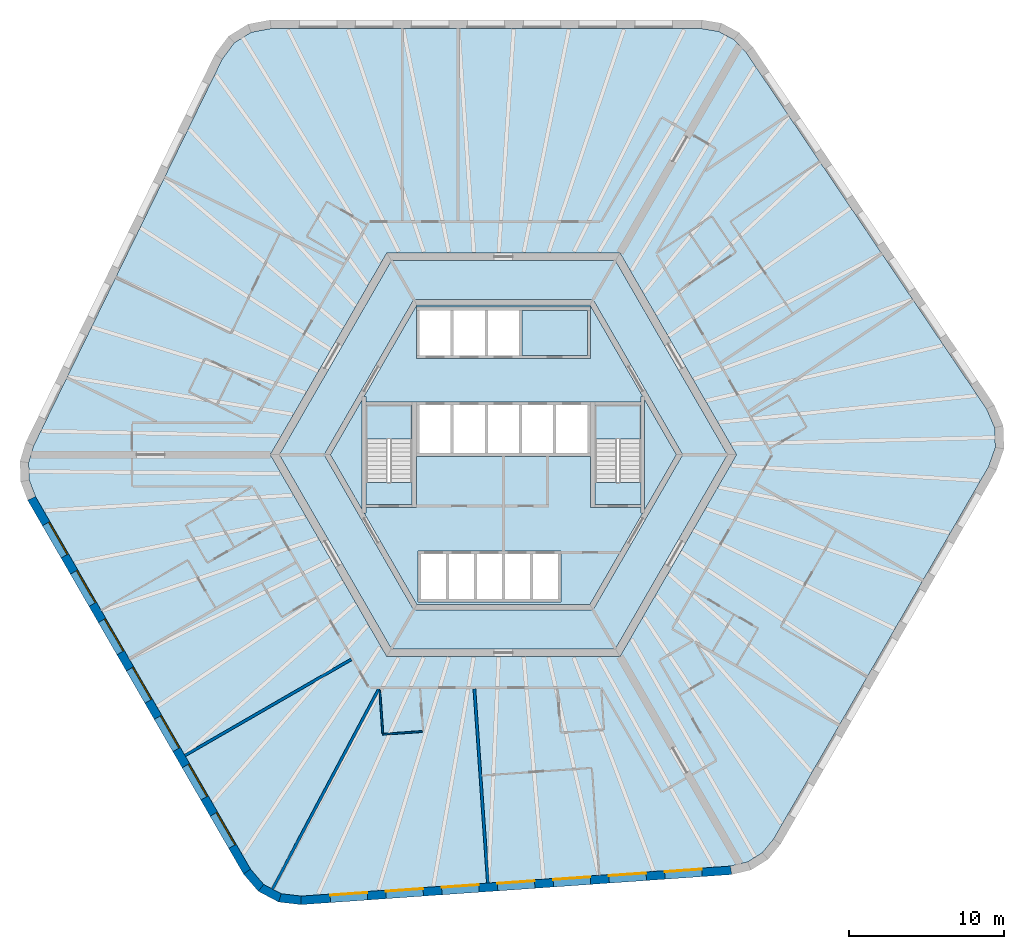
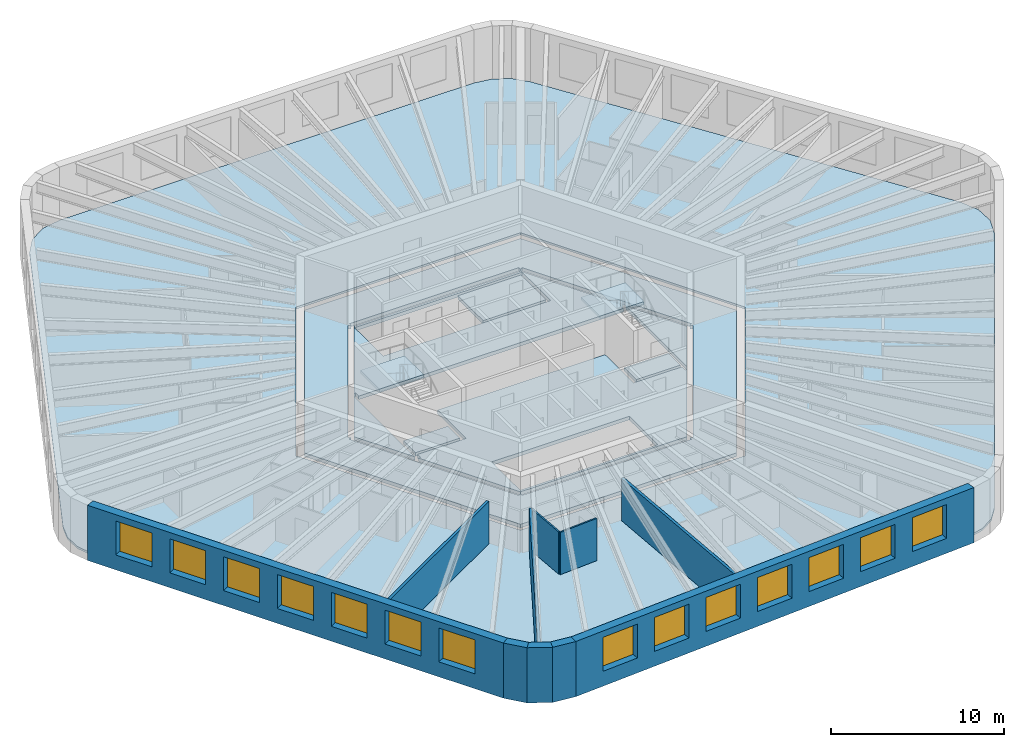
# One storey, part 2 of 10: 14 windows, 11 slabs, 10 walls, 14 openings, 2 elements without a shape of their own.
"""IFC4 building model written with IfcOpenShell, lengths in metres."""

from ifc_helpers import new_model, si_unit, direction, frame, frame_2d, origin, place, context, subcontext, project, spatial, polyline, rectangle, outline, extrude, material, layer, layer_set, type_object, element, fill, aggregate, save


model = new_model("IFC4")

# Units and contexts
model_context = context("Model", 3, precision=1e-05, world=origin(), true_north=direction((0.0, 1.0)))
body_context = subcontext(model_context, "Body", "Model", "MODEL_VIEW")
ifc_project = project(units=[si_unit("LENGTHUNIT", "METRE"), si_unit("AREAUNIT", "SQUARE_METRE"), si_unit("VOLUMEUNIT", "CUBIC_METRE"), si_unit("PLANEANGLEUNIT", "RADIAN"), si_unit("MASSUNIT", "GRAM", prefix="KILO")], contexts=[model_context])

# Site, building, storey
site_placement = place(None, origin())
site = spatial("IfcSite", under=ifc_project, at=site_placement, CompositionType="ELEMENT")
building_placement = place(site_placement, origin())
building = spatial("IfcBuilding", under=site, at=building_placement, Name="Tarnside Tower", CompositionType="ELEMENT")
storey_placement = place(building_placement, frame((0.0, 0.0, 172.199951171875)))
storey = spatial("IfcBuildingStorey", under=building, at=storey_placement, Name="L40", CompositionType="ELEMENT", Elevation=172.199951171875)

# Slabs
ifc_material_1 = material(Name="Concrete C35/45", Category="concrete")
ifc_layer_1 = layer(ifc_material_1, 0.14990234375)
ifc_layer_set_1 = layer_set([ifc_layer_1], Name="Composite floor slab 150")
slab_type_1 = type_object("IfcSlabType", Name="Composite floor slab 150", PredefinedType="FLOOR", material=ifc_layer_set_1)
slab_1_placement = place(storey_placement, frame((0.0, 0.0, -0.14990234375)))
element("IfcSlab", 1, at=slab_1_placement, inside=storey, type_object=slab_type_1, Name="Floor slab L40", PredefinedType="FLOOR", context=body_context, shape_type="SweptSolid", body=[
    extrude(outline(polyline([(13.864013671875, 27.264892578125), (14.85107421875, 26.740234375), (15.6337890625, 25.91064453125), (31.12890625, 2.938232421875), (31.644287109375, 1.7431640625), (31.68896484375, 0.468505859375), (31.258056640625, -0.759521484375), (17.403076171875, -24.7568359375), (16.68017578125, -25.63916015625), (15.732177734375, -26.2314453125), (14.622314453125, -26.494384765625), (-13.02001953125, -28.427490234375), (-14.3125, -28.2763671875), (-15.438720703125, -27.677490234375), (-16.286865234375, -26.6904296875), (-30.1416015625, -2.693115234375), (-30.544189453125, -1.6259765625), (-30.583251953125, -0.5087890625), (-30.256103515625, 0.583984375), (-18.10888671875, 25.4892578125), (-17.331787109375, 26.533203125), (-16.250244140625, 27.208984375), (-14.97119140625, 27.449951171875), (12.738525390625, 27.449951171875), (13.864013671875, 27.264892578125)]), holes=[polyline([(-15.010986328125, 0.0), (-7.505615234375, -13.0), (7.505615234375, -13.0), (15.010986328125, 0.0), (7.505615234375, 13.0), (-7.505615234375, 13.0), (-15.010986328125, 0.0)])]), origin(), (0.0, 0.0, 1.0), 0.14990234375),
])
ifc_material_2 = material(Name="Concrete C40/50", Category="concrete")
ifc_layer_2 = layer(ifc_material_2, 0.25)
ifc_layer_set_2 = layer_set([ifc_layer_2], Name="Core slab C40/50")
slab_type_2 = type_object("IfcSlabType", Name="Core slab C40/50", PredefinedType="FLOOR", material=ifc_layer_set_2)
slab_2_placement = place(storey_placement, frame((0.0, 0.0, -0.25)))
element("IfcSlab", 2, at=slab_2_placement, inside=storey, type_object=slab_type_2, Name="L40 core floor slab 1", PredefinedType="FLOOR", context=body_context, shape_type="SweptSolid", body=[
    extrude(outline(polyline([(-7.216796875, 12.5), (7.216796875, 12.5), (14.433837890625, 0.0), (7.216796875, -12.5), (-7.216796875, -12.5), (-14.433837890625, 0.0), (-7.216796875, 12.5)]), holes=[polyline([(5.823974609375, -9.91259765625), (11.49658203125, -0.08740234375), (11.344970703125, 0.0), (11.49658203125, 0.08740234375), (5.823974609375, 9.91259765625), (5.672607421875, 9.824951171875), (5.672607421875, 10.0), (-5.672607421875, 10.0), (-5.672607421875, 9.824951171875), (-5.823974609375, 9.91259765625), (-11.49658203125, 0.08740234375), (-11.344970703125, 0.0), (-11.49658203125, -0.08740234375), (-5.823974609375, -9.91259765625), (-5.672607421875, -9.824951171875), (-5.672607421875, -10.0), (5.672607421875, -10.0), (5.672607421875, -9.824951171875), (5.823974609375, -9.91259765625)])]), origin(), (0.0, 0.0, 1.0), 0.25),
])
slab_3_placement = place(storey_placement, frame((0.0, 0.0, -0.25)))
element("IfcSlab", 3, at=slab_3_placement, inside=storey, type_object=slab_type_2, Name="L40 core floor slab 2", PredefinedType="FLOOR", context=body_context, shape_type="SweptSolid", body=[
    extrude(outline(polyline([(-8.97509765625, 3.7548828125), (-5.5712890625, 9.64990234375), (5.5712890625, 9.64990234375), (8.97509765625, 3.7548828125), (8.85009765625, 3.7548828125), (8.85009765625, 3.39990234375), (5.89990234375, 3.39990234375), (5.60009765625, 3.39990234375), (5.60009765625, 3.39990234375), (-5.60009765625, 3.39990234375), (-5.89990234375, 3.39990234375), (-8.85009765625, 3.39990234375), (-8.85009765625, 3.7548828125), (-8.97509765625, 3.7548828125)]), holes=[polyline([(-5.60009765625, 6.199951171875), (5.60009765625, 6.199951171875), (5.60009765625, 6.39990234375), (5.60009765625, 9.300048828125), (5.60009765625, 9.5), (-5.60009765625, 9.5), (-5.60009765625, 9.300048828125), (-5.60009765625, 6.39990234375), (-5.60009765625, 6.199951171875)])]), origin(), (0.0, 0.0, 1.0), 0.25),
])
slab_4_placement = place(storey_placement, frame((0.0, 0.0, -0.25)))
element("IfcSlab", 4, at=slab_4_placement, inside=storey, type_object=slab_type_2, Name="L40 core floor slab 3", PredefinedType="FLOOR", context=body_context, shape_type="SweptSolid", body=[
    extrude(outline(polyline([(5.60009765625, -3.39990234375), (5.89990234375, -3.39990234375), (8.85009765625, -3.39990234375), (8.85009765625, -3.7548828125), (8.97509765625, -3.7548828125), (5.5712890625, -9.64990234375), (-5.5712890625, -9.64990234375), (-8.97509765625, -3.7548828125), (-8.85009765625, -3.7548828125), (-8.85009765625, -3.39990234375), (-5.89990234375, -3.39990234375), (-5.60009765625, -3.39990234375), (-5.60009765625, -0.10009765625), (5.60009765625, -0.10009765625), (5.60009765625, -3.39990234375)]), holes=[polyline([(-5.5, -9.300048828125), (-5.5, -9.5), (3.699951171875, -9.5), (3.699951171875, -9.300048828125), (3.699951171875, -6.39990234375), (3.699951171875, -6.199951171875), (-5.5, -6.199951171875), (-5.5, -6.39990234375), (-5.5, -9.300048828125)])]), origin(), (0.0, 0.0, 1.0), 0.25),
])
slab_5_placement = place(storey_placement, frame((0.0, 0.0, -0.25)))
element("IfcSlab", 5, at=slab_5_placement, inside=storey, type_object=slab_type_2, Name="L40 core floor slab 4", PredefinedType="FLOOR", context=body_context, shape_type="SweptSolid", body=[
    extrude(outline(polyline([(-11.142822265625, 0.0), (-9.10009765625, 3.538330078125), (-9.10009765625, -3.538330078125), (-11.142822265625, 0.0)])), origin(), (0.0, 0.0, 1.0), 0.25),
])
slab_6_placement = place(storey_placement, frame((0.0, 0.0, -0.25)))
element("IfcSlab", 6, at=slab_6_placement, inside=storey, type_object=slab_type_2, Name="L40 core floor slab 5", PredefinedType="FLOOR", context=body_context, shape_type="SweptSolid", body=[
    extrude(outline(polyline([(-8.85009765625, -1.800048828125), (-5.89990234375, -1.800048828125), (-5.89990234375, -3.199951171875), (-8.85009765625, -3.199951171875), (-8.85009765625, -1.800048828125)])), origin(), (0.0, 0.0, 1.0), 0.25),
])
slab_7_placement = place(storey_placement, frame((0.0, 0.0, -0.25)))
element("IfcSlab", 7, at=slab_7_placement, inside=storey, type_object=slab_type_2, Name="L40 core floor slab 6", PredefinedType="FLOOR", context=body_context, shape_type="SweptSolid", body=[
    extrude(outline(polyline([(5.89990234375, -3.199951171875), (5.89990234375, -1.800048828125), (8.85009765625, -1.800048828125), (8.85009765625, -3.199951171875), (5.89990234375, -3.199951171875)])), origin(), (0.0, 0.0, 1.0), 0.25),
])
slab_8_placement = place(storey_placement, frame((0.0, 0.0, -0.25)))
element("IfcSlab", 8, at=slab_8_placement, inside=storey, type_object=slab_type_2, Name="L40 core floor slab 7", PredefinedType="FLOOR", context=body_context, shape_type="SweptSolid", body=[
    extrude(outline(polyline([(9.10009765625, -3.538330078125), (9.10009765625, 3.538330078125), (11.142822265625, 0.0), (9.10009765625, -3.538330078125)])), origin(), (0.0, 0.0, 1.0), 0.25),
])
slab_9_placement = place(storey_placement, frame((0.0, 0.0, -0.25)))
element("IfcSlab", 9, at=slab_9_placement, inside=storey, type_object=slab_type_2, Name="L40 core floor slab 8", PredefinedType="FLOOR", context=body_context, shape_type="SweptSolid", body=[
    extrude(outline(polyline([(5.39990234375, 9.300048828125), (5.39990234375, 6.39990234375), (1.199951171875, 6.39990234375), (1.199951171875, 9.300048828125), (5.39990234375, 9.300048828125)])), origin(), (0.0, 0.0, 1.0), 0.25),
])

# Stair, slab
stair_type = type_object("IfcStairType", Name="Exit stair 1400 clear", PredefinedType="HALF_TURN_STAIR", material=ifc_material_2)
stair_1_placement = place(storey_placement, origin())
stair_1 = element("IfcStair", 10, at=stair_1_placement, inside=storey, type_object=stair_type, Name="L40 Exit stair 1", PredefinedType="HALF_TURN_STAIR")
ifc_layer_3 = layer(ifc_material_2, 0.199951171875)
ifc_layer_set_3 = layer_set([ifc_layer_3], Name="Stair landing 200 C40/50")
slab_type_3 = type_object("IfcSlabType", Name="Stair landing 200 C40/50", PredefinedType="LANDING", material=ifc_layer_set_3)
slab_10_placement = place(storey_placement, frame((0.0, 0.0, 1.75)))
slab_10 = element("IfcSlab", 11, at=slab_10_placement, type_object=slab_type_3, Name="ST1 landing 1", PredefinedType="LANDING", context=body_context, shape_type="SweptSolid", body=[
    extrude(outline(polyline([(8.85009765625, 1.0), (8.85009765625, 3.199951171875), (5.89990234375, 3.199951171875), (5.89990234375, 1.0), (8.85009765625, 1.0)])), origin(), (0.0, 0.0, 1.0), 0.199951171875),
])
aggregate(stair_1, [slab_10])

stair_2_placement = place(storey_placement, origin())
stair_2 = element("IfcStair", 12, at=stair_2_placement, inside=storey, type_object=stair_type, Name="L40 Exit stair 2", PredefinedType="HALF_TURN_STAIR")
slab_11_placement = place(storey_placement, frame((0.0, 0.0, 1.75)))
slab_11 = element("IfcSlab", 13, at=slab_11_placement, type_object=slab_type_3, Name="ST2 landing 1", PredefinedType="LANDING", context=body_context, shape_type="SweptSolid", body=[
    extrude(outline(polyline([(-5.89990234375, 1.0), (-5.89990234375, 3.199951171875), (-8.85009765625, 3.199951171875), (-8.85009765625, 1.0), (-5.89990234375, 1.0)])), origin(), (0.0, 0.0, 1.0), 0.199951171875),
])
aggregate(stair_2, [slab_11])

# Walls
ifc_material_3 = material(Name="Gypsum board partition on steel studs", Category="steel")
ifc_layer_4 = layer(ifc_material_3, 0.10009765625)
ifc_layer_set_4 = layer_set([ifc_layer_4], Name="Bathroom wall 100")
wall_type_1 = type_object("IfcWallType", Name="Bathroom wall 100", PredefinedType="PARTITIONING", material=ifc_layer_set_4)
wall_1_placement = place(storey_placement, frame((-5.2216796875, -17.82763671875, 0.0), z_axis=(0.0, 0.0, 1.0), x_axis=(-0.997567829494, -0.069702407128, 0.0)))
element("IfcWall", 14, at=wall_1_placement, inside=storey, type_object=wall_type_1, Name="Bathroom wall 12077", PredefinedType="PARTITIONING", context=body_context, shape_type="SweptSolid", body=[
    extrude(rectangle(XDim=2.5498046875, YDim=0.10009765625, at=frame_2d((1.27490234375, 0.0))), origin(), (0.0, 0.0, 1.0), 2.98779296875),
])
wall_2_placement = place(storey_placement, frame((-7.76904296875, -17.95556640625, 0.0), z_axis=(0.0, 0.0, 1.0), x_axis=(-0.069756058123, 0.997564079323, 0.0)))
element("IfcWall", 15, at=wall_2_placement, inside=storey, type_object=wall_type_1, Name="Bathroom wall 12078", PredefinedType="PARTITIONING", context=body_context, shape_type="SweptSolid", body=[
    extrude(rectangle(XDim=2.79296875, YDim=0.10009765625, at=frame_2d((1.396484375, 0.0))), origin(), (0.0, 0.0, 1.0), 2.98779296875),
])
ifc_layer_5 = layer(ifc_material_3, 0.179931640625)
ifc_layer_set_5 = layer_set([ifc_layer_5], Name="Demising wall 180 EI 60")
wall_type_2 = type_object("IfcWallType", Name="Demising wall 180 EI 60", PredefinedType="PARTITIONING", material=ifc_layer_set_5)
wall_3_placement = place(storey_placement, frame((-20.513427734375, -19.36962890625, 0.0), z_axis=(0.0, 0.0, 1.0), x_axis=(0.866024931941, 0.500000817256, 0.0)))
element("IfcWall", 16, at=wall_3_placement, inside=storey, type_object=wall_type_2, Name="Demising wall 12074", PredefinedType="PARTITIONING", context=body_context, shape_type="SweptSolid", body=[
    extrude(rectangle(XDim=12.375, YDim=0.179931640625, at=frame_2d((6.1875, 0.0))), origin(), (0.0, 0.0, 1.0), 2.98779296875),
])
wall_4_placement = place(storey_placement, frame((-14.875732421875, -27.97705078125, 0.0), z_axis=(0.0, 0.0, 1.0), x_axis=(0.469468328163, 0.882949312731, 0.0)))
element("IfcWall", 17, at=wall_4_placement, inside=storey, type_object=wall_type_2, Name="Demising wall 12075", PredefinedType="PARTITIONING", context=body_context, shape_type="SweptSolid", body=[
    extrude(rectangle(XDim=14.612548828125, YDim=0.179931640625, at=frame_2d((7.30615234375, 0.0))), origin(), (0.0, 0.0, 1.0), 2.98779296875),
])
wall_5_placement = place(storey_placement, frame((-0.99609375, -27.586669921875, 0.0), z_axis=(0.0, 0.0, 1.0), x_axis=(-0.069744671963, 0.997564875451, 0.0)))
element("IfcWall", 18, at=wall_5_placement, inside=storey, type_object=wall_type_2, Name="Demising wall 12079", PredefinedType="PARTITIONING", context=body_context, shape_type="SweptSolid", body=[
    extrude(rectangle(XDim=12.542236328125, YDim=0.179931640625, at=frame_2d((6.27099609375, 0.0))), origin(), (0.0, 0.0, 1.0), 2.98779296875),
])

# Wall, openings, windows
ifc_material_4 = material(Name="Facing brick", Category="masonry")
ifc_layer_6 = layer(ifc_material_4, 0.10205078125)
ifc_material_5 = material(Name="Concrete C60/75 precast", Category="concrete")
ifc_layer_7 = layer(ifc_material_5, 0.347900390625)
ifc_material_6 = material(Name="Mineral wool insulation")
ifc_layer_8 = layer(ifc_material_6, 0.10009765625)
ifc_layer_set_6 = layer_set([ifc_layer_6, ifc_layer_7, ifc_layer_8], Name="Tube wall 550 brick faced")
wall_type_3 = type_object("IfcWallType", Name="Tube wall 550 brick faced", PredefinedType="SOLIDWALL", material=ifc_layer_set_6)
wall_6_placement = place(storey_placement, frame((-30.39111328125, -2.81103515625, -0.14990234375), z_axis=(0.0, 0.0, 1.0), x_axis=(0.499998569178, -0.866026229868, 0.0)))
wall_6 = element("IfcWall", 19, at=wall_6_placement, inside=storey, type_object=wall_type_3, Name="Tube wall L40 F3 flush 08", PredefinedType="SOLIDWALL", context=body_context, shape_type="SweptSolid", body=[
    extrude(outline(polyline([(-0.0224609375, -0.27490234375), (27.783447265625, -0.27490234375), (27.732177734375, 0.27490234375), (0.0224609375, 0.27490234375), (-0.0224609375, -0.27490234375)])), origin(), (0.0, 0.0, 1.0), 3.89990234375),
])
opening_1_placement = place(wall_6_placement, frame((1.87890625, 0.0, 1.050048828125)))
opening_1 = element("IfcOpeningElement", 20, at=opening_1_placement, cuts=wall_6, Name="Opening WH", PredefinedType="OPENING", context=body_context, shape_type="SweptSolid", body=[
    extrude(rectangle(XDim=2.39990234375, YDim=2.39990234375, at=frame_2d((1.199951171875, 1.199951171875))), frame((0.0, 0.28515625, 0.0), z_axis=(0.0, -1.0, 0.0), x_axis=(1.0, 0.0, 0.0)), (0.0, 0.0, 1.0), 0.570068359375),
])
opening_2_placement = place(wall_6_placement, frame((5.47900390625, 0.0, 1.050048828125)))
opening_2 = element("IfcOpeningElement", 21, at=opening_2_placement, cuts=wall_6, Name="Opening WH", PredefinedType="OPENING", context=body_context, shape_type="SweptSolid", body=[
    extrude(rectangle(XDim=2.39990234375, YDim=2.39990234375, at=frame_2d((1.199951171875, 1.199951171875))), frame((0.0, 0.28515625, 0.0), z_axis=(0.0, -1.0, 0.0), x_axis=(1.0, 0.0, 0.0)), (0.0, 0.0, 1.0), 0.570068359375),
])
opening_3_placement = place(wall_6_placement, frame((9.078857421875, 0.0, 1.050048828125)))
opening_3 = element("IfcOpeningElement", 22, at=opening_3_placement, cuts=wall_6, Name="Opening WH", PredefinedType="OPENING", context=body_context, shape_type="SweptSolid", body=[
    extrude(rectangle(XDim=2.39990234375, YDim=2.39990234375, at=frame_2d((1.199951171875, 1.199951171875))), frame((0.0, 0.28515625, 0.0), z_axis=(0.0, -1.0, 0.0), x_axis=(1.0, 0.0, 0.0)), (0.0, 0.0, 1.0), 0.570068359375),
])
opening_4_placement = place(wall_6_placement, frame((12.678955078125, 0.0, 1.050048828125)))
opening_4 = element("IfcOpeningElement", 23, at=opening_4_placement, cuts=wall_6, Name="Opening WH", PredefinedType="OPENING", context=body_context, shape_type="SweptSolid", body=[
    extrude(rectangle(XDim=2.39990234375, YDim=2.39990234375, at=frame_2d((1.199951171875, 1.199951171875))), frame((0.0, 0.28515625, 0.0), z_axis=(0.0, -1.0, 0.0), x_axis=(1.0, 0.0, 0.0)), (0.0, 0.0, 1.0), 0.570068359375),
])
opening_5_placement = place(wall_6_placement, frame((16.27880859375, 0.0, 1.050048828125)))
opening_5 = element("IfcOpeningElement", 24, at=opening_5_placement, cuts=wall_6, Name="Opening WH", PredefinedType="OPENING", context=body_context, shape_type="SweptSolid", body=[
    extrude(rectangle(XDim=2.39990234375, YDim=2.39990234375, at=frame_2d((1.199951171875, 1.199951171875))), frame((0.0, 0.28515625, 0.0), z_axis=(0.0, -1.0, 0.0), x_axis=(1.0, 0.0, 0.0)), (0.0, 0.0, 1.0), 0.570068359375),
])
opening_6_placement = place(wall_6_placement, frame((19.87890625, 0.0, 1.050048828125)))
opening_6 = element("IfcOpeningElement", 25, at=opening_6_placement, cuts=wall_6, Name="Opening WH", PredefinedType="OPENING", context=body_context, shape_type="SweptSolid", body=[
    extrude(rectangle(XDim=2.39990234375, YDim=2.39990234375, at=frame_2d((1.199951171875, 1.199951171875))), frame((0.0, 0.28515625, 0.0), z_axis=(0.0, -1.0, 0.0), x_axis=(1.0, 0.0, 0.0)), (0.0, 0.0, 1.0), 0.570068359375),
])
opening_7_placement = place(wall_6_placement, frame((23.47900390625, 0.0, 1.050048828125)))
opening_7 = element("IfcOpeningElement", 26, at=opening_7_placement, cuts=wall_6, Name="Opening WH", PredefinedType="OPENING", context=body_context, shape_type="SweptSolid", body=[
    extrude(rectangle(XDim=2.39990234375, YDim=2.39990234375, at=frame_2d((1.199951171875, 1.199951171875))), frame((0.0, 0.28515625, 0.0), z_axis=(0.0, -1.0, 0.0), x_axis=(1.0, 0.0, 0.0)), (0.0, 0.0, 1.0), 0.570068359375),
])
ifc_material_7 = material(Name="Aluminium-framed double glazing", Category="aluminium")
window_type = type_object("IfcWindowType", Name="Hotel window 2400 x 2400", PartitioningType="DOUBLE_PANEL_VERTICAL", PredefinedType="WINDOW", material=ifc_material_7)
window_1_placement = place(opening_1_placement, frame((0.0, 0.205078125, 0.0)))
window_1 = element("IfcWindow", 27, at=window_1_placement, inside=storey, type_object=window_type, Name="E.WN.L40.F3.00", OverallHeight=2.39990234375, OverallWidth=2.39990234375, PartitioningType="DOUBLE_PANEL_VERTICAL", PredefinedType="WINDOW", context=body_context, shape_type="SweptSolid", body=[
    extrude(rectangle(XDim=2.39990234375, YDim=2.39990234375, at=frame_2d((1.199951171875, 1.199951171875))), frame((0.0, 0.030029296875, 0.0), z_axis=(0.0, -1.0, 0.0), x_axis=(1.0, 0.0, 0.0)), (0.0, 0.0, 1.0), 0.06005859375),
])
fill(opening_1, window_1)
window_2_placement = place(opening_2_placement, frame((0.0, 0.205078125, 0.0)))
window_2 = element("IfcWindow", 28, at=window_2_placement, inside=storey, type_object=window_type, Name="E.WN.L40.F3.01", OverallHeight=2.39990234375, OverallWidth=2.39990234375, PartitioningType="DOUBLE_PANEL_VERTICAL", PredefinedType="WINDOW", context=body_context, shape_type="SweptSolid", body=[
    extrude(rectangle(XDim=2.39990234375, YDim=2.39990234375, at=frame_2d((1.199951171875, 1.199951171875))), frame((0.0, 0.030029296875, 0.0), z_axis=(0.0, -1.0, 0.0), x_axis=(1.0, 0.0, 0.0)), (0.0, 0.0, 1.0), 0.06005859375),
])
fill(opening_2, window_2)
window_3_placement = place(opening_3_placement, frame((0.0, 0.205078125, 0.0)))
window_3 = element("IfcWindow", 29, at=window_3_placement, inside=storey, type_object=window_type, Name="E.WN.L40.F3.02", OverallHeight=2.39990234375, OverallWidth=2.39990234375, PartitioningType="DOUBLE_PANEL_VERTICAL", PredefinedType="WINDOW", context=body_context, shape_type="SweptSolid", body=[
    extrude(rectangle(XDim=2.39990234375, YDim=2.39990234375, at=frame_2d((1.199951171875, 1.199951171875))), frame((0.0, 0.030029296875, 0.0), z_axis=(0.0, -1.0, 0.0), x_axis=(1.0, 0.0, 0.0)), (0.0, 0.0, 1.0), 0.06005859375),
])
fill(opening_3, window_3)
window_4_placement = place(opening_4_placement, frame((0.0, 0.205078125, 0.0)))
window_4 = element("IfcWindow", 30, at=window_4_placement, inside=storey, type_object=window_type, Name="E.WN.L40.F3.03", OverallHeight=2.39990234375, OverallWidth=2.39990234375, PartitioningType="DOUBLE_PANEL_VERTICAL", PredefinedType="WINDOW", context=body_context, shape_type="SweptSolid", body=[
    extrude(rectangle(XDim=2.39990234375, YDim=2.39990234375, at=frame_2d((1.199951171875, 1.199951171875))), frame((0.0, 0.030029296875, 0.0), z_axis=(0.0, -1.0, 0.0), x_axis=(1.0, 0.0, 0.0)), (0.0, 0.0, 1.0), 0.06005859375),
])
fill(opening_4, window_4)
window_5_placement = place(opening_5_placement, frame((0.0, 0.205078125, 0.0)))
window_5 = element("IfcWindow", 31, at=window_5_placement, inside=storey, type_object=window_type, Name="E.WN.L40.F3.04", OverallHeight=2.39990234375, OverallWidth=2.39990234375, PartitioningType="DOUBLE_PANEL_VERTICAL", PredefinedType="WINDOW", context=body_context, shape_type="SweptSolid", body=[
    extrude(rectangle(XDim=2.39990234375, YDim=2.39990234375, at=frame_2d((1.199951171875, 1.199951171875))), frame((0.0, 0.030029296875, 0.0), z_axis=(0.0, -1.0, 0.0), x_axis=(1.0, 0.0, 0.0)), (0.0, 0.0, 1.0), 0.06005859375),
])
fill(opening_5, window_5)
window_6_placement = place(opening_6_placement, frame((0.0, 0.205078125, 0.0)))
window_6 = element("IfcWindow", 32, at=window_6_placement, inside=storey, type_object=window_type, Name="E.WN.L40.F3.05", OverallHeight=2.39990234375, OverallWidth=2.39990234375, PartitioningType="DOUBLE_PANEL_VERTICAL", PredefinedType="WINDOW", context=body_context, shape_type="SweptSolid", body=[
    extrude(rectangle(XDim=2.39990234375, YDim=2.39990234375, at=frame_2d((1.199951171875, 1.199951171875))), frame((0.0, 0.030029296875, 0.0), z_axis=(0.0, -1.0, 0.0), x_axis=(1.0, 0.0, 0.0)), (0.0, 0.0, 1.0), 0.06005859375),
])
fill(opening_6, window_6)
window_7_placement = place(opening_7_placement, frame((0.0, 0.205078125, 0.0)))
window_7 = element("IfcWindow", 33, at=window_7_placement, inside=storey, type_object=window_type, Name="E.WN.L40.F3.06", OverallHeight=2.39990234375, OverallWidth=2.39990234375, PartitioningType="DOUBLE_PANEL_VERTICAL", PredefinedType="WINDOW", context=body_context, shape_type="SweptSolid", body=[
    extrude(rectangle(XDim=2.39990234375, YDim=2.39990234375, at=frame_2d((1.199951171875, 1.199951171875))), frame((0.0, 0.030029296875, 0.0), z_axis=(0.0, -1.0, 0.0), x_axis=(1.0, 0.0, 0.0)), (0.0, 0.0, 1.0), 0.06005859375),
])
fill(opening_7, window_7)

# Walls
wall_7_placement = place(storey_placement, frame((-16.51220703125, -26.85009765625, -0.14990234375), z_axis=(0.0, 0.0, 1.0), x_axis=(0.651621950847, -0.758543890078, 0.0)))
element("IfcWall", 34, at=wall_7_placement, inside=storey, type_object=wall_type_3, Name="Tube wall L40 F3 chord 09", PredefinedType="SOLIDWALL", context=body_context, shape_type="SweptSolid", body=[
    extrude(outline(polyline([(-0.025634765625, -0.27490234375), (1.430908203125, -0.27490234375), (1.327392578125, 0.27490234375), (0.025634765625, 0.27490234375), (-0.025634765625, -0.27490234375)])), origin(), (0.0, 0.0, 1.0), 3.89990234375),
])
wall_8_placement = place(storey_placement, frame((-15.613525390625, -27.896240234375, -0.14990234375), z_axis=(0.0, 0.0, 1.0), x_axis=(0.882994189209, -0.469383917304, 0.0)))
element("IfcWall", 35, at=wall_8_placement, inside=storey, type_object=wall_type_3, Name="Tube wall L40 F3 chord 10", PredefinedType="SOLIDWALL", context=body_context, shape_type="SweptSolid", body=[
    extrude(outline(polyline([(-0.0517578125, -0.27490234375), (1.4306640625, -0.27490234375), (1.3271484375, 0.27490234375), (0.0517578125, 0.27490234375), (-0.0517578125, -0.27490234375)])), origin(), (0.0, 0.0, 1.0), 3.89990234375),
])
wall_9_placement = place(storey_placement, frame((-14.39599609375, -28.54345703125, -0.14990234375), z_axis=(0.0, 0.0, 1.0), x_axis=(0.993232537394, -0.11614269956, 0.0)))
element("IfcWall", 36, at=wall_9_placement, inside=storey, type_object=wall_type_3, Name="Tube wall L40 F3 chord 11", PredefinedType="SOLIDWALL", context=body_context, shape_type="SweptSolid", body=[
    extrude(outline(polyline([(-0.0517578125, -0.27490234375), (1.404541015625, -0.27490234375), (1.353271484375, 0.27490234375), (0.0517578125, 0.27490234375), (-0.0517578125, -0.27490234375)])), origin(), (0.0, 0.0, 1.0), 3.89990234375),
])

# Wall, openings, windows
wall_10_placement = place(storey_placement, frame((-13.0263671875, -28.70361328125, -0.14990234375), z_axis=(0.0, 0.0, 1.0), x_axis=(0.99756406806, 0.069756219185, 0.0)))
wall_10 = element("IfcWall", 37, at=wall_10_placement, inside=storey, type_object=wall_type_3, Name="Tube wall L40 F4 flush 12", PredefinedType="SOLIDWALL", context=body_context, shape_type="SweptSolid", body=[
    extrude(outline(polyline([(-0.025634765625, -0.27490234375), (27.7802734375, -0.27490234375), (27.7353515625, 0.27490234375), (0.025634765625, 0.27490234375), (-0.025634765625, -0.27490234375)])), origin(), (0.0, 0.0, 1.0), 3.89990234375),
])
opening_8_placement = place(wall_10_placement, frame((1.87890625, 0.0, 1.050048828125)))
opening_8 = element("IfcOpeningElement", 38, at=opening_8_placement, cuts=wall_10, Name="Opening WH", PredefinedType="OPENING", context=body_context, shape_type="SweptSolid", body=[
    extrude(rectangle(XDim=2.39990234375, YDim=2.39990234375, at=frame_2d((1.199951171875, 1.199951171875))), frame((0.0, 0.28515625, 0.0), z_axis=(0.0, -1.0, 0.0), x_axis=(1.0, 0.0, 0.0)), (0.0, 0.0, 1.0), 0.570068359375),
])
opening_9_placement = place(wall_10_placement, frame((5.47900390625, 0.0, 1.050048828125)))
opening_9 = element("IfcOpeningElement", 39, at=opening_9_placement, cuts=wall_10, Name="Opening WH", PredefinedType="OPENING", context=body_context, shape_type="SweptSolid", body=[
    extrude(rectangle(XDim=2.39990234375, YDim=2.39990234375, at=frame_2d((1.199951171875, 1.199951171875))), frame((0.0, 0.28515625, 0.0), z_axis=(0.0, -1.0, 0.0), x_axis=(1.0, 0.0, 0.0)), (0.0, 0.0, 1.0), 0.570068359375),
])
opening_10_placement = place(wall_10_placement, frame((9.078857421875, 0.0, 1.050048828125)))
opening_10 = element("IfcOpeningElement", 40, at=opening_10_placement, cuts=wall_10, Name="Opening WH", PredefinedType="OPENING", context=body_context, shape_type="SweptSolid", body=[
    extrude(rectangle(XDim=2.39990234375, YDim=2.39990234375, at=frame_2d((1.199951171875, 1.199951171875))), frame((0.0, 0.28515625, 0.0), z_axis=(0.0, -1.0, 0.0), x_axis=(1.0, 0.0, 0.0)), (0.0, 0.0, 1.0), 0.570068359375),
])
opening_11_placement = place(wall_10_placement, frame((12.678955078125, 0.0, 1.050048828125)))
opening_11 = element("IfcOpeningElement", 41, at=opening_11_placement, cuts=wall_10, Name="Opening WH", PredefinedType="OPENING", context=body_context, shape_type="SweptSolid", body=[
    extrude(rectangle(XDim=2.39990234375, YDim=2.39990234375, at=frame_2d((1.199951171875, 1.199951171875))), frame((0.0, 0.28515625, 0.0), z_axis=(0.0, -1.0, 0.0), x_axis=(1.0, 0.0, 0.0)), (0.0, 0.0, 1.0), 0.570068359375),
])
opening_12_placement = place(wall_10_placement, frame((16.27880859375, 0.0, 1.050048828125)))
opening_12 = element("IfcOpeningElement", 42, at=opening_12_placement, cuts=wall_10, Name="Opening WH", PredefinedType="OPENING", context=body_context, shape_type="SweptSolid", body=[
    extrude(rectangle(XDim=2.39990234375, YDim=2.39990234375, at=frame_2d((1.199951171875, 1.199951171875))), frame((0.0, 0.28515625, 0.0), z_axis=(0.0, -1.0, 0.0), x_axis=(1.0, 0.0, 0.0)), (0.0, 0.0, 1.0), 0.570068359375),
])
opening_13_placement = place(wall_10_placement, frame((19.87890625, 0.0, 1.050048828125)))
opening_13 = element("IfcOpeningElement", 43, at=opening_13_placement, cuts=wall_10, Name="Opening WH", PredefinedType="OPENING", context=body_context, shape_type="SweptSolid", body=[
    extrude(rectangle(XDim=2.39990234375, YDim=2.39990234375, at=frame_2d((1.199951171875, 1.199951171875))), frame((0.0, 0.28515625, 0.0), z_axis=(0.0, -1.0, 0.0), x_axis=(1.0, 0.0, 0.0)), (0.0, 0.0, 1.0), 0.570068359375),
])
opening_14_placement = place(wall_10_placement, frame((23.47900390625, 0.0, 1.050048828125)))
opening_14 = element("IfcOpeningElement", 44, at=opening_14_placement, cuts=wall_10, Name="Opening WH", PredefinedType="OPENING", context=body_context, shape_type="SweptSolid", body=[
    extrude(rectangle(XDim=2.39990234375, YDim=2.39990234375, at=frame_2d((1.199951171875, 1.199951171875))), frame((0.0, 0.28515625, 0.0), z_axis=(0.0, -1.0, 0.0), x_axis=(1.0, 0.0, 0.0)), (0.0, 0.0, 1.0), 0.570068359375),
])
window_8_placement = place(opening_8_placement, frame((0.0, 0.205078125, 0.0)))
window_8 = element("IfcWindow", 45, at=window_8_placement, inside=storey, type_object=window_type, Name="E.WN.L40.F4.00", OverallHeight=2.39990234375, OverallWidth=2.39990234375, PartitioningType="DOUBLE_PANEL_VERTICAL", PredefinedType="WINDOW", context=body_context, shape_type="SweptSolid", body=[
    extrude(rectangle(XDim=2.39990234375, YDim=2.39990234375, at=frame_2d((1.199951171875, 1.199951171875))), frame((0.0, 0.030029296875, 0.0), z_axis=(0.0, -1.0, 0.0), x_axis=(1.0, 0.0, 0.0)), (0.0, 0.0, 1.0), 0.06005859375),
])
fill(opening_8, window_8)
window_9_placement = place(opening_9_placement, frame((0.0, 0.205078125, 0.0)))
window_9 = element("IfcWindow", 46, at=window_9_placement, inside=storey, type_object=window_type, Name="E.WN.L40.F4.01", OverallHeight=2.39990234375, OverallWidth=2.39990234375, PartitioningType="DOUBLE_PANEL_VERTICAL", PredefinedType="WINDOW", context=body_context, shape_type="SweptSolid", body=[
    extrude(rectangle(XDim=2.39990234375, YDim=2.39990234375, at=frame_2d((1.199951171875, 1.199951171875))), frame((0.0, 0.030029296875, 0.0), z_axis=(0.0, -1.0, 0.0), x_axis=(1.0, 0.0, 0.0)), (0.0, 0.0, 1.0), 0.06005859375),
])
fill(opening_9, window_9)
window_10_placement = place(opening_10_placement, frame((0.0, 0.205078125, 0.0)))
window_10 = element("IfcWindow", 47, at=window_10_placement, inside=storey, type_object=window_type, Name="E.WN.L40.F4.02", OverallHeight=2.39990234375, OverallWidth=2.39990234375, PartitioningType="DOUBLE_PANEL_VERTICAL", PredefinedType="WINDOW", context=body_context, shape_type="SweptSolid", body=[
    extrude(rectangle(XDim=2.39990234375, YDim=2.39990234375, at=frame_2d((1.199951171875, 1.199951171875))), frame((0.0, 0.030029296875, 0.0), z_axis=(0.0, -1.0, 0.0), x_axis=(1.0, 0.0, 0.0)), (0.0, 0.0, 1.0), 0.06005859375),
])
fill(opening_10, window_10)
window_11_placement = place(opening_11_placement, frame((0.0, 0.205078125, 0.0)))
window_11 = element("IfcWindow", 48, at=window_11_placement, inside=storey, type_object=window_type, Name="E.WN.L40.F4.03", OverallHeight=2.39990234375, OverallWidth=2.39990234375, PartitioningType="DOUBLE_PANEL_VERTICAL", PredefinedType="WINDOW", context=body_context, shape_type="SweptSolid", body=[
    extrude(rectangle(XDim=2.39990234375, YDim=2.39990234375, at=frame_2d((1.199951171875, 1.199951171875))), frame((0.0, 0.030029296875, 0.0), z_axis=(0.0, -1.0, 0.0), x_axis=(1.0, 0.0, 0.0)), (0.0, 0.0, 1.0), 0.06005859375),
])
fill(opening_11, window_11)
window_12_placement = place(opening_12_placement, frame((0.0, 0.205078125, 0.0)))
window_12 = element("IfcWindow", 49, at=window_12_placement, inside=storey, type_object=window_type, Name="E.WN.L40.F4.04", OverallHeight=2.39990234375, OverallWidth=2.39990234375, PartitioningType="DOUBLE_PANEL_VERTICAL", PredefinedType="WINDOW", context=body_context, shape_type="SweptSolid", body=[
    extrude(rectangle(XDim=2.39990234375, YDim=2.39990234375, at=frame_2d((1.199951171875, 1.199951171875))), frame((0.0, 0.030029296875, 0.0), z_axis=(0.0, -1.0, 0.0), x_axis=(1.0, 0.0, 0.0)), (0.0, 0.0, 1.0), 0.06005859375),
])
fill(opening_12, window_12)
window_13_placement = place(opening_13_placement, frame((0.0, 0.205078125, 0.0)))
window_13 = element("IfcWindow", 50, at=window_13_placement, inside=storey, type_object=window_type, Name="E.WN.L40.F4.05", OverallHeight=2.39990234375, OverallWidth=2.39990234375, PartitioningType="DOUBLE_PANEL_VERTICAL", PredefinedType="WINDOW", context=body_context, shape_type="SweptSolid", body=[
    extrude(rectangle(XDim=2.39990234375, YDim=2.39990234375, at=frame_2d((1.199951171875, 1.199951171875))), frame((0.0, 0.030029296875, 0.0), z_axis=(0.0, -1.0, 0.0), x_axis=(1.0, 0.0, 0.0)), (0.0, 0.0, 1.0), 0.06005859375),
])
fill(opening_13, window_13)
window_14_placement = place(opening_14_placement, frame((0.0, 0.205078125, 0.0)))
window_14 = element("IfcWindow", 51, at=window_14_placement, inside=storey, type_object=window_type, Name="E.WN.L40.F4.06", OverallHeight=2.39990234375, OverallWidth=2.39990234375, PartitioningType="DOUBLE_PANEL_VERTICAL", PredefinedType="WINDOW", context=body_context, shape_type="SweptSolid", body=[
    extrude(rectangle(XDim=2.39990234375, YDim=2.39990234375, at=frame_2d((1.199951171875, 1.199951171875))), frame((0.0, 0.030029296875, 0.0), z_axis=(0.0, -1.0, 0.0), x_axis=(1.0, 0.0, 0.0)), (0.0, 0.0, 1.0), 0.06005859375),
])
fill(opening_14, window_14)

save(model, "model.ifc")
